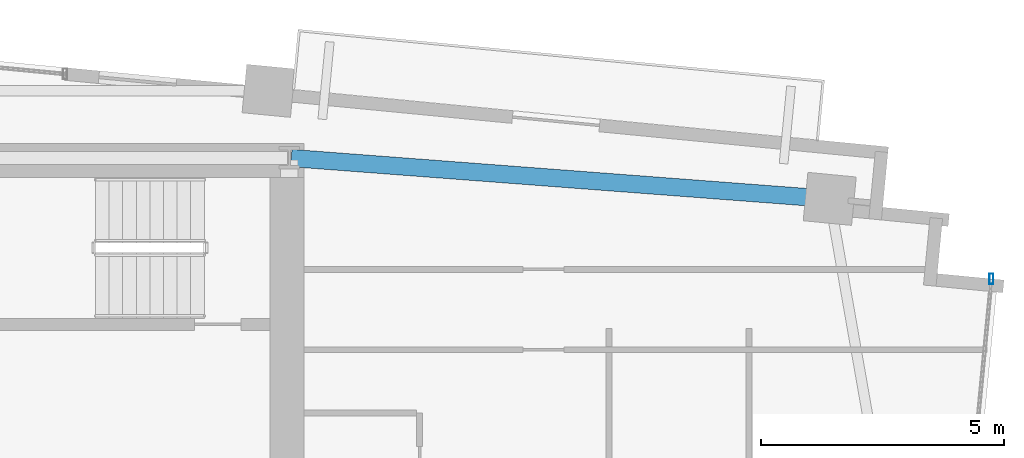
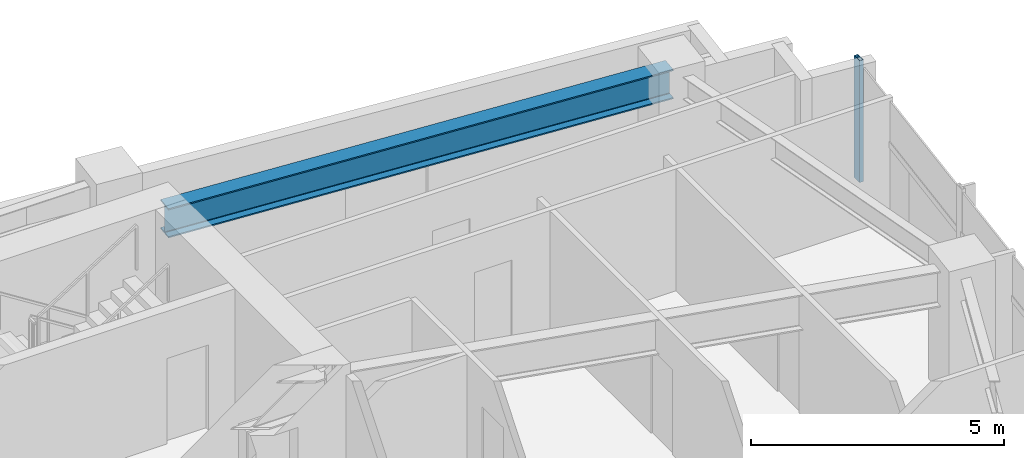
# One storey, part 13 of 20: 1 beam, 1 member, 1 element without a shape of its own.
"""IFC4 building model written with IfcOpenShell, lengths in metres."""

from ifc_helpers import new_model, si_unit, direction, frame, origin, origin_2d, place, context, subcontext, project, spatial, hollow_rectangle, i_section, extrude, source, transform, mapped, material, material_profile, profile_set, type_object, type_shapes, element, aggregate, save


model = new_model("IFC4")

# Units and contexts
model_context = context("Model", 3, precision=1e-05, world=origin(), true_north=direction((0.0, 1.0)))
body_context = subcontext(model_context, "Body", "Model", "MODEL_VIEW")
ifc_project = project(units=[si_unit("LENGTHUNIT", "METRE"), si_unit("AREAUNIT", "SQUARE_METRE"), si_unit("VOLUMEUNIT", "CUBIC_METRE"), si_unit("PLANEANGLEUNIT", "RADIAN"), si_unit("MASSUNIT", "GRAM", prefix="KILO")], contexts=[model_context])

# Site, building, storey
site_placement = place(None, origin())
site = spatial("IfcSite", under=ifc_project, at=site_placement, CompositionType="ELEMENT")
building_placement = place(site_placement, origin())
building = spatial("IfcBuilding", under=site, at=building_placement, Name="Astriad Promenade Condominiums", CompositionType="ELEMENT")
storey_placement = place(building_placement, frame((0.0, 0.0, 153.39990234375)))
storey = spatial("IfcBuildingStorey", under=building, at=storey_placement, Name="L44", CompositionType="ELEMENT", Elevation=153.39990234375)

# Beam
ifc_material_1 = material(Name="Steel ASTM A992 Grade 50", Category="steel")
ifc_material_profile_1 = material_profile(ifc_material_1, i_section(OverallWidth=0.35791015625, OverallDepth=0.706298828125, WebThickness=0.018310546875, FlangeThickness=0.0302734375, FilletRadius=0.020263671875, at=origin_2d()), Name="W27X178")
ifc_profile_set_1 = profile_set([ifc_material_profile_1], Name="Steel ASTM A992 Grade 50")
beam_type = type_object("IfcBeamType", Name="STEEL FLOOR GIRDER W27X178", PredefinedType="BEAM", material=ifc_profile_set_1)
shared_shape_1 = source(origin(), body_context, "Body", "SweptSolid", [
    extrude(i_section(OverallWidth=0.35791015625, OverallDepth=0.706298828125, WebThickness=0.018310546875, FlangeThickness=0.0302734375, FilletRadius=0.020263671875, at=origin_2d()), origin(), (0.0, 0.0, 1.0), 11.0712890625),
])
type_shapes(beam_type, [shared_shape_1])
beam_placement = place(storey_placement, frame((56.679443359375, 23.15966796875, 2.5869140625), z_axis=(-0.997135384808, 0.075637453445, 0.0), x_axis=(-0.075637453445, -0.997135384808, 0.0)))
element("IfcBeam", 1, at=beam_placement, inside=storey, type_object=beam_type, Name="Primary Floor Girder PG-NE-L44", PredefinedType="BEAM", context=body_context, shape_type="MappedRepresentation", body=[
    mapped(shared_shape_1, transform((0.0, 0.0, 0.0), scale=1.0)),
])

# Curtain wall, member
ifc_material_2 = material(Name="Anodised aluminium Black Dark Glass Unitised", Category="aluminium")
curtain_wall_type = type_object("IfcCurtainWallType", Name="CW-B34-DARK", PredefinedType="USERDEFINED", material=ifc_material_2)
curtain_wall_placement = place(storey_placement, origin())
curtain_wall = element("IfcCurtainWall", 2, at=curtain_wall_placement, inside=storey, type_object=curtain_wall_type, Name="CW-L44-E", ObjectType="UNITISED_CURTAIN_WALL", PredefinedType="USERDEFINED")
ifc_material_3 = material(Name="Anodised aluminium 6063-T6 Black", Category="aluminium")
ifc_material_profile_2 = material_profile(ifc_material_3, hollow_rectangle(XDim=0.0849609375, YDim=0.219970703125, WallThickness=0.0048828125, at=origin_2d()), Name="ALU-MUL-85X220")
ifc_profile_set_2 = profile_set([ifc_material_profile_2], Name="Anodised aluminium 6063-T6 Black")
member_type = type_object("IfcMemberType", Name="MUL-ALU-MUL-85X220", PredefinedType="MULLION", material=ifc_profile_set_2)
shared_shape_2 = source(origin(), body_context, "Body", "SweptSolid", [
    extrude(hollow_rectangle(XDim=0.0849609375, YDim=0.219970703125, WallThickness=0.0048828125, at=origin_2d()), origin(), (0.0, 0.0, 1.0), 2.940185546875),
])
type_shapes(member_type, [shared_shape_2])
member_placement = place(storey_placement, frame((60.046875, 21.51025390625, 0.0), z_axis=(0.0, 0.0, 1.0), x_axis=(1.0, 0.0, 0.0)))
member = element("IfcMember", 3, at=member_placement, type_object=member_type, Name="CW-L44-E-MUL-00", PredefinedType="MULLION", context=body_context, shape_type="MappedRepresentation", body=[
    mapped(shared_shape_2, transform((0.0, 0.0, 0.0), scale=1.0)),
])
aggregate(curtain_wall, [member])

save(model, "model.ifc")
